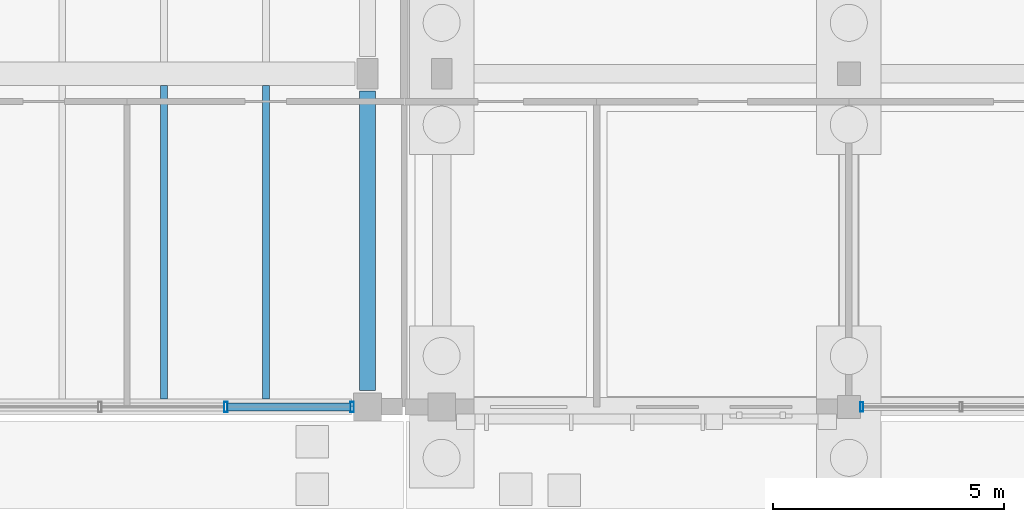
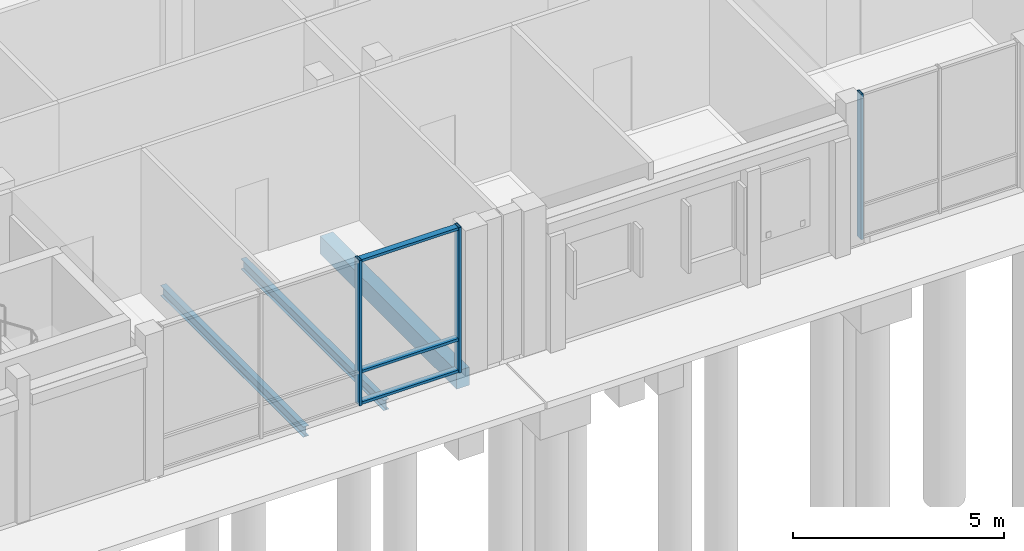
# One storey, part 44 of 104: 6 members, 3 beams, 2 elements without a shape of their own.
"""IFC4 building model written with IfcOpenShell, lengths in metres."""

from ifc_helpers import new_model, si_unit, direction, frame, origin, origin_2d, place, context, subcontext, project, spatial, rectangle, hollow_rectangle, i_section, extrude, material, material_profile, profile_set, type_object, element, aggregate, save


model = new_model("IFC4")

# Units and contexts
model_context = context("Model", 3, precision=1e-05, world=origin(), true_north=direction((0.0, 1.0)))
body_context = subcontext(model_context, "Body", "Model", "MODEL_VIEW")
ifc_project = project(units=[si_unit("LENGTHUNIT", "METRE"), si_unit("AREAUNIT", "SQUARE_METRE"), si_unit("VOLUMEUNIT", "CUBIC_METRE"), si_unit("PLANEANGLEUNIT", "RADIAN"), si_unit("MASSUNIT", "GRAM", prefix="KILO")], contexts=[model_context])

# Site, building, storey
site_placement = place(None, origin())
site = spatial("IfcSite", under=ifc_project, at=site_placement, CompositionType="ELEMENT")
building_placement = place(site_placement, origin())
building = spatial("IfcBuilding", under=site, at=building_placement, Name="Hawrajan Terrace Health Centre", CompositionType="ELEMENT")
storey_placement = place(building_placement, origin())
storey = spatial("IfcBuildingStorey", under=building, at=storey_placement, Name="L00", CompositionType="ELEMENT", Elevation=0.0)

# Curtain wall, member
ifc_material_1 = material(Name="Anodized bronze aluminium and low-E solar glazing", Category="aluminium")
curtain_wall_type_1 = type_object("IfcCurtainWallType", Name="CW_Pavilion_SeriesE2", PredefinedType="USERDEFINED", material=ifc_material_1)
curtain_wall_1_placement = place(storey_placement, origin())
curtain_wall_1 = element("IfcCurtainWall", 1, at=curtain_wall_1_placement, inside=storey, type_object=curtain_wall_type_1, Name="Curtain wall CW-L00-037", ObjectType="UNITISED CURTAIN WALL", PredefinedType="USERDEFINED")
ifc_material_2 = material(Name="Anodized bronze aluminium 6063-T6", Category="aluminium")
ifc_material_profile_1 = material_profile(ifc_material_2, hollow_rectangle(XDim=0.06494140625, YDim=0.199951171875, WallThickness=0.00439453125, at=origin_2d()), Name="CW MUL 65x200")
ifc_profile_set_1 = profile_set([ifc_material_profile_1], Name="Anodized bronze aluminium 6063-T6")
member_type_1 = type_object("IfcMemberType", Name="CWMullion_65x200", PredefinedType="MULLION", material=ifc_profile_set_1)
member_1_placement = place(storey_placement, frame((81.6826171875, 4.199951171875, -0.0048828125), z_axis=(0.0, 0.0, 1.0), x_axis=(1.0, 0.0, 0.0)))
member_1 = element("IfcMember", 2, at=member_1_placement, type_object=member_type_1, Name="Mullion CW-L00-037-M1", PredefinedType="MULLION", context=body_context, shape_type="SweptSolid", body=[
    extrude(hollow_rectangle(XDim=0.06494140625, YDim=0.199951171875, WallThickness=0.00439453125, at=origin_2d()), origin(), (0.0, 0.0, 1.0), 4.2099609375),
])
aggregate(curtain_wall_1, [member_1])

# Curtain wall, members
curtain_wall_type_2 = type_object("IfcCurtainWallType", Name="CW_Court_SeriesB2", PredefinedType="USERDEFINED", material=ifc_material_1)
curtain_wall_2_placement = place(storey_placement, origin())
curtain_wall_2 = element("IfcCurtainWall", 3, at=curtain_wall_2_placement, inside=storey, type_object=curtain_wall_type_2, Name="Curtain wall CW-L00-029", ObjectType="UNITISED CURTAIN WALL", PredefinedType="USERDEFINED")
ifc_material_profile_2 = material_profile(ifc_material_2, hollow_rectangle(XDim=0.074951171875, YDim=0.219970703125, WallThickness=0.0048828125, at=origin_2d()), Name="CW MUL 75x220")
ifc_profile_set_2 = profile_set([ifc_material_profile_2], Name="Anodized bronze aluminium 6063-T6")
member_type_2 = type_object("IfcMemberType", Name="CWMullion_75x220", PredefinedType="MULLION", material=ifc_profile_set_2)
member_2_placement = place(storey_placement, frame((67.9375, 4.199951171875, -0.0048828125), z_axis=(0.0, 0.0, 1.0), x_axis=(1.0, 0.0, 0.0)))
member_2 = element("IfcMember", 4, at=member_2_placement, type_object=member_type_2, Name="Mullion CW-L00-029-M3", PredefinedType="MULLION", context=body_context, shape_type="SweptSolid", body=[
    extrude(hollow_rectangle(XDim=0.074951171875, YDim=0.219970703125, WallThickness=0.0048828125, at=origin_2d()), origin(), (0.0, 0.0, 1.0), 4.2099609375),
])
member_3_placement = place(storey_placement, frame((70.66259765625, 4.199951171875, -0.0048828125), z_axis=(0.0, 0.0, 1.0), x_axis=(1.0, 0.0, 0.0)))
member_3 = element("IfcMember", 5, at=member_3_placement, type_object=member_type_2, Name="Mullion CW-L00-029-M4", PredefinedType="MULLION", context=body_context, shape_type="SweptSolid", body=[
    extrude(hollow_rectangle(XDim=0.074951171875, YDim=0.219970703125, WallThickness=0.0048828125, at=origin_2d()), origin(), (0.0, 0.0, 1.0), 4.2099609375),
])
ifc_material_profile_3 = material_profile(ifc_material_2, hollow_rectangle(XDim=0.074951171875, YDim=0.169921875, WallThickness=0.00439453125, at=origin_2d()), Name="CW TRN 75x170")
ifc_profile_set_3 = profile_set([ifc_material_profile_3], Name="Anodized bronze aluminium 6063-T6")
member_type_3 = type_object("IfcMemberType", Name="CWTransom_75x170", PredefinedType="USERDEFINED", material=ifc_profile_set_3)
member_4_placement = place(storey_placement, frame((67.968994140625, 4.199951171875, 0.03759765625), z_axis=(1.0, 0.0, 0.0), x_axis=(0.0, 0.0, 1.0)))
member_4 = element("IfcMember", 6, at=member_4_placement, type_object=member_type_3, Name="Transom CW-L00-029-T3-1", ObjectType="TRANSOM", PredefinedType="USERDEFINED", context=body_context, shape_type="SweptSolid", body=[
    extrude(hollow_rectangle(XDim=0.074951171875, YDim=0.169921875, WallThickness=0.00439453125, at=origin_2d()), origin(), (0.0, 0.0, 1.0), 2.662109375),
])
member_5_placement = place(storey_placement, frame((67.968994140625, 4.199951171875, 0.949951171875), z_axis=(1.0, 0.0, 0.0), x_axis=(0.0, 0.0, 1.0)))
member_5 = element("IfcMember", 7, at=member_5_placement, type_object=member_type_3, Name="Transom CW-L00-029-T3-2", ObjectType="TRANSOM", PredefinedType="USERDEFINED", context=body_context, shape_type="SweptSolid", body=[
    extrude(hollow_rectangle(XDim=0.074951171875, YDim=0.169921875, WallThickness=0.00439453125, at=origin_2d()), origin(), (0.0, 0.0, 1.0), 2.662109375),
])
member_6_placement = place(storey_placement, frame((67.968994140625, 4.199951171875, 4.16259765625), z_axis=(1.0, 0.0, 0.0), x_axis=(0.0, 0.0, 1.0)))
member_6 = element("IfcMember", 8, at=member_6_placement, type_object=member_type_3, Name="Transom CW-L00-029-T3-3", ObjectType="TRANSOM", PredefinedType="USERDEFINED", context=body_context, shape_type="SweptSolid", body=[
    extrude(hollow_rectangle(XDim=0.074951171875, YDim=0.169921875, WallThickness=0.00439453125, at=origin_2d()), origin(), (0.0, 0.0, 1.0), 2.662109375),
])
aggregate(curtain_wall_2, [member_2, member_3, member_4, member_5, member_6])

# Beams
ifc_material_3 = material(Name="Concrete C40/50", Category="concrete")
ifc_material_profile_4 = material_profile(ifc_material_3, rectangle(XDim=0.35009765625, YDim=0.52001953125, at=origin_2d()), Name="RC SP 350x520")
ifc_profile_set_4 = profile_set([ifc_material_profile_4], Name="Concrete C40/50")
beam_type_1 = type_object("IfcBeamType", Name="RCSpandrel_350x520", PredefinedType="SPANDREL", material=ifc_profile_set_4)
beam_placement = place(storey_placement, frame((71.0, 4.550048828125, -0.56005859375), z_axis=(0.0, 1.0, 0.0), x_axis=(-1.0, 0.0, 0.0)))
element("IfcBeam", 9, at=beam_placement, inside=storey, type_object=beam_type_1, Name="Beam BM-Y-L00-W-X10-1", PredefinedType="SPANDREL", context=body_context, shape_type="SweptSolid", body=[
    extrude(rectangle(XDim=0.35009765625, YDim=0.52001953125, at=origin_2d()), origin(), (0.0, 0.0, 1.0), 6.474853515625),
])
ifc_material_4 = material(Name="Steel S355", Category="steel")
ifc_material_profile_5 = material_profile(ifc_material_4, i_section(OverallWidth=0.14990234375, OverallDepth=0.300048828125, WebThickness=0.007080078125, FlangeThickness=0.0107421875, FilletRadius=0.014892578125, at=origin_2d()), Name="IPE 300")
ifc_profile_set_5 = profile_set([ifc_material_profile_5], Name="Steel S355")
beam_type_2 = type_object("IfcBeamType", Name="SteelBeam_IPE300", PredefinedType="JOIST", material=ifc_profile_set_5)
for number, where, z_axis, x_axis, name in (
    (10, (66.60009765625, 4.375, -0.449951171875), (0.0, 1.0, 0.0), (-1.0, 0.0, 0.0), "Secondary joist JST-L00-W-09-1-2"),
    (11, (68.800048828125, 4.375, -0.449951171875), (0.0, 1.0, 0.0), (-1.0, 0.0, 0.0), "Secondary joist JST-L00-W-09-1-3"),
):
    element("IfcBeam", number, at=place(storey_placement, frame(where, z_axis=z_axis, x_axis=x_axis)), inside=storey, type_object=beam_type_2, Name=name, PredefinedType="JOIST", context=body_context, shape_type="SweptSolid", body=[
        extrude(i_section(OverallWidth=0.14990234375, OverallDepth=0.300048828125, WebThickness=0.007080078125, FlangeThickness=0.0107421875, FilletRadius=0.014892578125, at=origin_2d()), origin(), (0.0, 0.0, 1.0), 6.77490234375),
    ])

save(model, "model.ifc")
